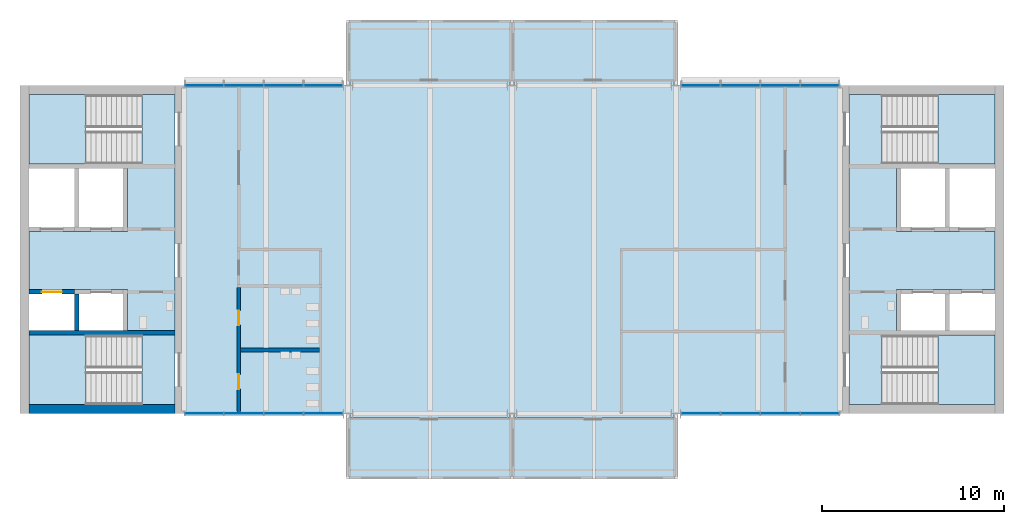
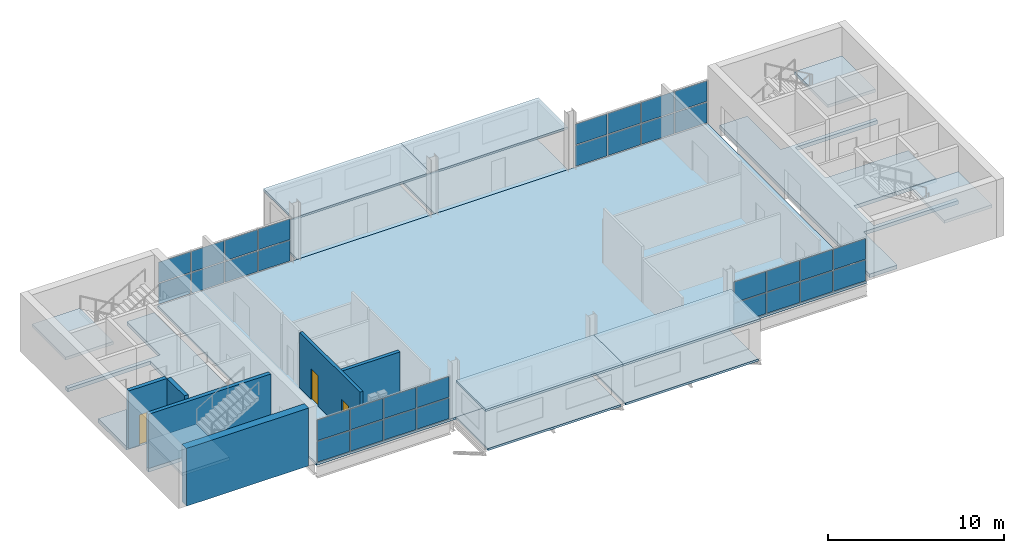
# One storey, part 4 of 10: 32 plates, 15 slabs, 6 walls, 3 doors, 3 openings, 8 elements without a shape of their own.
"""IFC4 building model written with IfcOpenShell, lengths in metres."""

import ifcopenshell
import ifcopenshell.guid

model = None  # the IFC model being written
_history = None  # IfcOwnerHistory: only IFC2X3 demands one
_inside = {}  # id of a spatial element -> (the spatial element, [elements in it])
_under = {}  # id of a project, library or spatial element -> (it, [spatial elements below it])
_declared = {}  # id of a project -> (the project, [libraries it declares])
_typed = {}  # id of a type object -> (the type object, [elements of that type])
_made_of = {}  # id of a material, layer set ... -> (it, [elements and type objects made of it])


def new_model(schema):
    """Start an empty IFC model of exactly this schema.

    Asked for "IFC4X3", IfcOpenShell would pick the latest addendum, in which some entities
    have other attributes; the version numbers below select the first issue.
    IFC2X3 requires an IfcOwnerHistory on every rooted entity: one is made here for all.
    """
    global model, _history
    if schema == "IFC4X3":
        model = ifcopenshell.file(schema_version=(4, 3, 0, 0))
    else:
        model = ifcopenshell.file(schema=schema)
    _inside.clear()
    _under.clear()
    _declared.clear()
    _typed.clear()
    _made_of.clear()
    _history = None
    if model.schema == "IFC2X3":
        org = make("IfcOrganization", Name="unknown")
        user = make(
            "IfcPersonAndOrganization",
            ThePerson=make("IfcPerson", FamilyName="unknown"),
            TheOrganization=org,
        )
        app = make(
            "IfcApplication",
            ApplicationDeveloper=org,
            Version="unknown",
            ApplicationFullName="unknown",
            ApplicationIdentifier="unknown",
        )
        _history = make(
            "IfcOwnerHistory",
            OwningUser=user,
            OwningApplication=app,
            ChangeAction="ADDED",
            CreationDate=0,
        )
    return model


def make(cls, **values):
    """One entity of the class cls with the attributes given. An attribute that is None is left unset."""
    return model.create_entity(
        cls, **{name: value for name, value in values.items() if value is not None}
    )


def rooted(cls, **values):
    """An entity with a GlobalId (a new one), such as an element, a storey or a relation."""
    return make(cls, GlobalId=ifcopenshell.guid.new(), OwnerHistory=_history, **values)


def si_unit(unit_type, name, prefix=None):
    """IfcSIUnit, for example si_unit("LENGTHUNIT", "METRE", prefix="MILLI")."""
    return make("IfcSIUnit", UnitType=unit_type, Prefix=prefix, Name=name)


def assignment(units):
    """IfcUnitAssignment: the units of a project."""
    return None if units is None else make("IfcUnitAssignment", Units=units)


def point(xyz):
    """IfcCartesianPoint."""
    return None if xyz is None else make("IfcCartesianPoint", Coordinates=xyz)


def direction(xyz):
    """IfcDirection."""
    return None if xyz is None else make("IfcDirection", DirectionRatios=xyz)


def frame(location, z_axis=None, x_axis=None):
    """IfcAxis2Placement3D, a coordinate frame: its origin and axes. An axis left out is left unset."""
    return make(
        "IfcAxis2Placement3D",
        Location=point(location),
        Axis=direction(z_axis),
        RefDirection=direction(x_axis),
    )


def frame_2d(location, x_axis=None):
    """IfcAxis2Placement2D, a coordinate frame in the plane: its origin and x axis."""
    return make(
        "IfcAxis2Placement2D", Location=point(location), RefDirection=direction(x_axis)
    )


def origin():
    """The frame at (0, 0, 0) with its axes left unset."""
    return frame((0.0, 0.0, 0.0))


def origin_2d():
    """The frame at (0, 0) in the plane with its x axis left unset."""
    return frame_2d((0.0, 0.0))


def place(relative_to, where):
    """IfcLocalPlacement: puts the frame where relative to a parent placement (None: the world)."""
    return make(
        "IfcLocalPlacement", PlacementRelTo=relative_to, RelativePlacement=where
    )


def context(
    kind, dimensions, precision=None, world=None, true_north=None, identifier=None
):
    """IfcGeometricRepresentationContext, for example the 3D "Model" context."""
    return make(
        "IfcGeometricRepresentationContext",
        ContextIdentifier=identifier,
        ContextType=kind,
        CoordinateSpaceDimension=dimensions,
        Precision=precision,
        WorldCoordinateSystem=world,
        TrueNorth=true_north,
    )


def subcontext(parent, identifier, kind, view, scale=None):
    """IfcGeometricRepresentationSubContext, for example "Body" below "Model"."""
    return make(
        "IfcGeometricRepresentationSubContext",
        ContextIdentifier=identifier,
        ContextType=kind,
        ParentContext=parent,
        TargetScale=scale,
        TargetView=view,
    )


def project(units=None, contexts=None):
    """IfcProject with its units and contexts."""
    return rooted(
        "IfcProject",
        Name="project",
        RepresentationContexts=contexts,
        UnitsInContext=assignment(units),
    )


def spatial(cls, under=None, at=None, **own):
    """A site, building, storey or space (cls), placed at a placement, below another one or the project."""
    s = rooted(cls, ObjectPlacement=at, **own)
    if under is not None:
        _under.setdefault(under.id(), (under, []))[1].append(s)
    return s


def polyline(points):
    """IfcPolyline through the points."""
    return make("IfcPolyline", Points=[point(p) for p in points])


def profile(cls, at=None, kind="AREA", **sizes):
    """A parametric profile (cls). Its sizes go by their IFC names, for example OverallWidth=200.0."""
    return make(cls, ProfileType=kind, Position=at, **sizes)


def rectangle(**sizes):
    """IfcRectangleProfileDef."""
    return profile("IfcRectangleProfileDef", **sizes)


def outline(outer, holes=None, kind="AREA"):
    """IfcArbitraryClosedProfileDef: a profile drawn as a closed curve; with holes, ...WithVoids."""
    if holes is None:
        return make("IfcArbitraryClosedProfileDef", ProfileType=kind, OuterCurve=outer)
    return make(
        "IfcArbitraryProfileDefWithVoids",
        ProfileType=kind,
        OuterCurve=outer,
        InnerCurves=holes,
    )


def extrude(swept, where, along, depth):
    """IfcExtrudedAreaSolid: the profile swept, set in the frame where, extruded along a direction by depth."""
    return make(
        "IfcExtrudedAreaSolid",
        SweptArea=swept,
        Position=where,
        ExtrudedDirection=direction(along),
        Depth=depth,
    )


def shape(context_of_items, identifier, shape_type, items):
    """IfcShapeRepresentation: the items that make up one representation, for example the "Body"."""
    return make(
        "IfcShapeRepresentation",
        ContextOfItems=context_of_items,
        RepresentationIdentifier=identifier,
        RepresentationType=shape_type,
        Items=items,
    )


def material(Name=None, Category=None):
    """IfcMaterial."""
    return make("IfcMaterial", Name=Name, Category=Category)


def layer(
    of_material, thickness, ventilated=None, Name=None, Category=None, Priority=None
):
    """IfcMaterialLayer: one layer of a wall or slab, of a material (None: an air gap)."""
    return make(
        "IfcMaterialLayer",
        Material=of_material,
        LayerThickness=thickness,
        IsVentilated=ventilated,
        Name=Name,
        Category=Category,
        Priority=Priority,
    )


def layer_set(layers, Name=None):
    """IfcMaterialLayerSet."""
    return make("IfcMaterialLayerSet", MaterialLayers=layers, LayerSetName=Name)


def made_of(thing, what):
    """Note that an element or type object is made of a material, layer set ...; save() writes the relation."""
    if what is not None:
        _made_of.setdefault(what.id(), (what, []))[1].append(thing)
    return thing


def type_object(cls, material=None, **own):
    """A type object (cls), such as IfcWallType, which elements share."""
    return made_of(rooted(cls, **own), material)


def element(
    cls,
    number,
    at=None,
    inside=None,
    cuts=None,
    type_object=None,
    material=None,
    context=None,
    identifier="Body",
    shape_type=None,
    held_by="IfcProductDefinitionShape",
    body=None,
    shapes=None,
    **own,
):
    """One element of the class cls, such as IfcWall. Its Tag is "e" and its number.

    at: its placement. inside: the storey or other place that contains it. cuts: it is an
    opening in that element (IfcRelVoidsElement). A single representation is given by context,
    identifier, shape_type and body (its items); several are given by shapes. held_by: the class
    of the entity that holds the representations. save() writes the other relations.
    """
    e = rooted(cls, Tag="e%d" % number, ObjectPlacement=at, **own)
    if body is not None:
        shapes = [shape(context, identifier, shape_type, body)]
    if shapes is not None:
        e.Representation = make(held_by, Representations=shapes)
    if inside is not None:
        _inside.setdefault(inside.id(), (inside, []))[1].append(e)
    if cuts is not None:
        rooted(
            "IfcRelVoidsElement", RelatingBuildingElement=cuts, RelatedOpeningElement=e
        )
    if type_object is not None:
        _typed.setdefault(type_object.id(), (type_object, []))[1].append(e)
    return made_of(e, material)


def fill(opening, filler):
    """IfcRelFillsElement: the door or window that sits in an opening."""
    return rooted(
        "IfcRelFillsElement",
        RelatingOpeningElement=opening,
        RelatedBuildingElement=filler,
    )


def aggregate(whole, parts):
    """IfcRelAggregates: a whole, such as a stair, and the parts it consists of."""
    return rooted("IfcRelAggregates", RelatingObject=whole, RelatedObjects=parts)


def save(model, path):
    """Write the relations noted so far, then the file.

    IfcRelAggregates (storeys below a building ...), IfcRelContainedInSpatialStructure (elements
    in a storey), IfcRelDefinesByType, IfcRelAssociatesMaterial and IfcRelDeclares: one each for
    every whole, place, type object, material and project.
    """
    for whole, parts in _under.values():
        aggregate(whole, parts)
    for where, things in _inside.values():
        rooted(
            "IfcRelContainedInSpatialStructure",
            RelatedElements=things,
            RelatingStructure=where,
        )
    for kind, things in _typed.values():
        rooted("IfcRelDefinesByType", RelatedObjects=things, RelatingType=kind)
    for what, things in _made_of.values():
        rooted("IfcRelAssociatesMaterial", RelatedObjects=things, RelatingMaterial=what)
    for by, libraries in _declared.values():
        rooted("IfcRelDeclares", RelatingContext=by, RelatedDefinitions=libraries)
    model.write(path)


model = new_model("IFC4")

# Units and contexts
model_context = context("Model", 3, precision=1e-05, world=origin(), true_north=direction((0.0, 1.0)))
body_context = subcontext(model_context, "Body", "Model", "MODEL_VIEW")
ifc_project = project(units=[si_unit("LENGTHUNIT", "METRE"), si_unit("AREAUNIT", "SQUARE_METRE"), si_unit("VOLUMEUNIT", "CUBIC_METRE"), si_unit("PLANEANGLEUNIT", "RADIAN"), si_unit("MASSUNIT", "GRAM", prefix="KILO")], contexts=[model_context])

# Site, building, storey
site_placement = place(None, origin())
site = spatial("IfcSite", under=ifc_project, at=site_placement, CompositionType="ELEMENT")
building_placement = place(site_placement, origin())
building = spatial("IfcBuilding", under=site, at=building_placement, Name="Corbel Yard City Hall", CompositionType="ELEMENT")
storey_placement = place(building_placement, frame((0.0, 0.0, 19.199951171875)))
storey = spatial("IfcBuildingStorey", under=building, at=storey_placement, Name="L04", CompositionType="ELEMENT", Elevation=19.199951171875)

# Slabs
ifc_material_1 = material(Name="Concrete N40 (40 MPa)", Category="concrete")
ifc_layer_1 = layer(ifc_material_1, 0.25)
ifc_layer_set_1 = layer_set([ifc_layer_1], Name="Concrete N40 (40 MPa)")
slab_type_1 = type_object("IfcSlabType", Name="CF1", PredefinedType="FLOOR", material=ifc_layer_set_1)
slab_1_placement = place(storey_placement, frame((0.0, 0.0, -0.25)))
element("IfcSlab", 1, at=slab_1_placement, inside=storey, type_object=slab_type_1, Name="Core floor slab", PredefinedType="FLOOR", context=body_context, shape_type="SweptSolid", body=[
    extrude(outline(polyline([(8.5, 116.5), (6.698974609375, 116.5), (6.698974609375, 112.699951171875), (0.5, 112.699951171875), (0.5, 112.449951171875), (5.89990234375, 112.449951171875), (5.89990234375, 109.0), (0.5, 109.0), (0.5, 105.800048828125), (5.89990234375, 105.800048828125), (5.89990234375, 103.550048828125), (0.5, 103.550048828125), (0.5, 103.300048828125), (6.698974609375, 103.300048828125), (6.698974609375, 99.5), (8.5, 99.5), (8.5, 116.5)])), origin(), (0.0, 0.0, 1.0), 0.25),
])
slab_2_placement = place(storey_placement, frame((0.0, 0.0, -0.25)))
element("IfcSlab", 2, at=slab_2_placement, inside=storey, type_object=slab_type_1, Name="Core floor slab", PredefinedType="FLOOR", context=body_context, shape_type="SweptSolid", body=[
    extrude(outline(polyline([(53.5, 103.300048828125), (53.5, 103.550048828125), (48.10009765625, 103.550048828125), (48.10009765625, 105.800048828125), (53.5, 105.800048828125), (53.5, 109.0), (48.10009765625, 109.0), (48.10009765625, 112.449951171875), (53.5, 112.449951171875), (53.5, 112.699951171875), (47.301025390625, 112.699951171875), (47.301025390625, 116.5), (45.5, 116.5), (45.5, 99.5), (47.301025390625, 99.5), (47.301025390625, 103.300048828125), (53.5, 103.300048828125)])), origin(), (0.0, 0.0, 1.0), 0.25),
])
ifc_layer_2 = layer(ifc_material_1, 0.14990234375)
ifc_layer_set_2 = layer_set([ifc_layer_2], Name="Concrete N40 (40 MPa)")
slab_type_2 = type_object("IfcSlabType", Name="Floor slab 150", PredefinedType="FLOOR", material=ifc_layer_set_2)
slab_3_placement = place(storey_placement, frame((0.0, 0.0, -0.14990234375)))
element("IfcSlab", 3, at=slab_3_placement, inside=storey, type_object=slab_type_2, Name="Tower floor slab L04", PredefinedType="FLOOR", context=body_context, shape_type="SweptSolid", body=[
    extrude(outline(polyline([(45.0, 99.0), (45.0, 117.0), (9.0, 117.0), (9.0, 99.0), (45.0, 99.0)])), origin(), (0.0, 0.0, 1.0), 0.14990234375),
])

# Stair, slab
stair_type = type_object("IfcStairType", Name="ST4", PredefinedType="HALF_TURN_STAIR", material=ifc_material_1)
stair_1_placement = place(storey_placement, origin())
stair_1 = element("IfcStair", 4, at=stair_1_placement, inside=storey, type_object=stair_type, Name="Exit stair ST-W1 L04", PredefinedType="HALF_TURN_STAIR")
ifc_layer_3 = layer(ifc_material_1, 0.199951171875)
ifc_layer_set_3 = layer_set([ifc_layer_3], Name="Concrete N40 (40 MPa)")
slab_type_3 = type_object("IfcSlabType", Name="LN1", PredefinedType="LANDING", material=ifc_layer_set_3)
slab_4_placement = place(storey_placement, frame((0.0, 0.0, 1.800048828125)))
slab_4 = element("IfcSlab", 5, at=slab_4_placement, type_object=slab_type_3, Name="ST-W1 landing 1", PredefinedType="LANDING", context=body_context, shape_type="SweptSolid", body=[
    extrude(outline(polyline([(0.5, 99.5), (3.6201171875, 99.5), (3.6201171875, 103.300048828125), (0.5, 103.300048828125), (0.5, 99.5)])), origin(), (0.0, 0.0, 1.0), 0.199951171875),
])
aggregate(stair_1, [slab_4])

stair_2_placement = place(storey_placement, origin())
stair_2 = element("IfcStair", 6, at=stair_2_placement, inside=storey, type_object=stair_type, Name="Exit stair ST-W2 L04", PredefinedType="HALF_TURN_STAIR")
slab_5_placement = place(storey_placement, frame((0.0, 0.0, 1.800048828125)))
slab_5 = element("IfcSlab", 7, at=slab_5_placement, type_object=slab_type_3, Name="ST-W2 landing 1", PredefinedType="LANDING", context=body_context, shape_type="SweptSolid", body=[
    extrude(outline(polyline([(0.5, 112.699951171875), (3.6201171875, 112.699951171875), (3.6201171875, 116.5), (0.5, 116.5), (0.5, 112.699951171875)])), origin(), (0.0, 0.0, 1.0), 0.199951171875),
])
aggregate(stair_2, [slab_5])

stair_3_placement = place(storey_placement, origin())
stair_3 = element("IfcStair", 8, at=stair_3_placement, inside=storey, type_object=stair_type, Name="Exit stair ST-E1 L04", PredefinedType="HALF_TURN_STAIR")
slab_6_placement = place(storey_placement, frame((0.0, 0.0, 1.800048828125)))
slab_6 = element("IfcSlab", 9, at=slab_6_placement, type_object=slab_type_3, Name="ST-E1 landing 1", PredefinedType="LANDING", context=body_context, shape_type="SweptSolid", body=[
    extrude(outline(polyline([(50.3798828125, 99.5), (53.5, 99.5), (53.5, 103.300048828125), (50.3798828125, 103.300048828125), (50.3798828125, 99.5)])), origin(), (0.0, 0.0, 1.0), 0.199951171875),
])
aggregate(stair_3, [slab_6])

stair_4_placement = place(storey_placement, origin())
stair_4 = element("IfcStair", 10, at=stair_4_placement, inside=storey, type_object=stair_type, Name="Exit stair ST-E2 L04", PredefinedType="HALF_TURN_STAIR")
slab_7_placement = place(storey_placement, frame((0.0, 0.0, 1.800048828125)))
slab_7 = element("IfcSlab", 11, at=slab_7_placement, type_object=slab_type_3, Name="ST-E2 landing 1", PredefinedType="LANDING", context=body_context, shape_type="SweptSolid", body=[
    extrude(outline(polyline([(50.3798828125, 112.699951171875), (53.5, 112.699951171875), (53.5, 116.5), (50.3798828125, 116.5), (50.3798828125, 112.699951171875)])), origin(), (0.0, 0.0, 1.0), 0.199951171875),
])
aggregate(stair_4, [slab_7])

# Slabs
ifc_material_2 = material(Name="Concrete N32 (32 MPa)", Category="concrete")
ifc_layer_4 = layer(ifc_material_2, 0.14990234375)
ifc_layer_set_4 = layer_set([ifc_layer_4], Name="Concrete N32 (32 MPa)")
slab_type_4 = type_object("IfcSlabType", Name="PF1", PredefinedType="FLOOR", material=ifc_layer_set_4)
slab_8_placement = place(storey_placement, frame((0.0, 0.0, -0.14990234375)))
element("IfcSlab", 12, at=slab_8_placement, inside=storey, type_object=slab_type_4, Name="Pod floor slab L04", PredefinedType="FLOOR", context=body_context, shape_type="SweptSolid", body=[
    extrude(outline(polyline([(18.14990234375, 95.39990234375), (26.85009765625, 95.39990234375), (26.85009765625, 99.0), (18.14990234375, 99.0), (18.14990234375, 95.39990234375)])), origin(), (0.0, 0.0, 1.0), 0.14990234375),
])
slab_9_placement = place(storey_placement, frame((0.0, 0.0, -0.14990234375)))
element("IfcSlab", 13, at=slab_9_placement, inside=storey, type_object=slab_type_4, Name="Pod floor slab L04", PredefinedType="FLOOR", context=body_context, shape_type="SweptSolid", body=[
    extrude(outline(polyline([(27.14990234375, 95.39990234375), (35.85009765625, 95.39990234375), (35.85009765625, 99.0), (27.14990234375, 99.0), (27.14990234375, 95.39990234375)])), origin(), (0.0, 0.0, 1.0), 0.14990234375),
])
slab_10_placement = place(storey_placement, frame((0.0, 0.0, -0.14990234375)))
element("IfcSlab", 14, at=slab_10_placement, inside=storey, type_object=slab_type_4, Name="Pod floor slab L04", PredefinedType="FLOOR", context=body_context, shape_type="SweptSolid", body=[
    extrude(outline(polyline([(18.14990234375, 117.0), (26.85009765625, 117.0), (26.85009765625, 120.60009765625), (18.14990234375, 120.60009765625), (18.14990234375, 117.0)])), origin(), (0.0, 0.0, 1.0), 0.14990234375),
])
slab_11_placement = place(storey_placement, frame((0.0, 0.0, -0.14990234375)))
element("IfcSlab", 15, at=slab_11_placement, inside=storey, type_object=slab_type_4, Name="Pod floor slab L04", PredefinedType="FLOOR", context=body_context, shape_type="SweptSolid", body=[
    extrude(outline(polyline([(27.14990234375, 117.0), (35.85009765625, 117.0), (35.85009765625, 120.60009765625), (27.14990234375, 120.60009765625), (27.14990234375, 117.0)])), origin(), (0.0, 0.0, 1.0), 0.14990234375),
])
ifc_layer_5 = layer(ifc_material_2, 0.14990234375)
ifc_layer_set_5 = layer_set([ifc_layer_5], Name="Concrete N32 (32 MPa)")
slab_type_5 = type_object("IfcSlabType", Name="PH1", PredefinedType="ROOF", material=ifc_layer_set_5)
slab_12_placement = place(storey_placement, frame((0.0, 0.0, 2.60009765625)))
element("IfcSlab", 16, at=slab_12_placement, inside=storey, type_object=slab_type_5, Name="Pod roof slab L04", PredefinedType="ROOF", context=body_context, shape_type="SweptSolid", body=[
    extrude(outline(polyline([(18.0, 95.39990234375), (27.0, 95.39990234375), (27.0, 98.75), (18.0, 98.75), (18.0, 95.39990234375)])), origin(), (0.0, 0.0, 1.0), 0.14990234375),
])
slab_13_placement = place(storey_placement, frame((0.0, 0.0, 2.60009765625)))
element("IfcSlab", 17, at=slab_13_placement, inside=storey, type_object=slab_type_5, Name="Pod roof slab L04", PredefinedType="ROOF", context=body_context, shape_type="SweptSolid", body=[
    extrude(outline(polyline([(27.0, 95.39990234375), (36.0, 95.39990234375), (36.0, 98.75), (27.0, 98.75), (27.0, 95.39990234375)])), origin(), (0.0, 0.0, 1.0), 0.14990234375),
])
slab_14_placement = place(storey_placement, frame((0.0, 0.0, 2.60009765625)))
element("IfcSlab", 18, at=slab_14_placement, inside=storey, type_object=slab_type_5, Name="Pod roof slab L04", PredefinedType="ROOF", context=body_context, shape_type="SweptSolid", body=[
    extrude(outline(polyline([(18.0, 120.60009765625), (18.0, 117.25), (27.0, 117.25), (27.0, 120.60009765625), (18.0, 120.60009765625)])), origin(), (0.0, 0.0, 1.0), 0.14990234375),
])
slab_15_placement = place(storey_placement, frame((0.0, 0.0, 2.60009765625)))
element("IfcSlab", 19, at=slab_15_placement, inside=storey, type_object=slab_type_5, Name="Pod roof slab L04", PredefinedType="ROOF", context=body_context, shape_type="SweptSolid", body=[
    extrude(outline(polyline([(27.0, 120.60009765625), (27.0, 117.25), (36.0, 117.25), (36.0, 120.60009765625), (27.0, 120.60009765625)])), origin(), (0.0, 0.0, 1.0), 0.14990234375),
])

# Curtain wall, plates
ifc_material_3 = material(Name="Aluminium extrusion", Category="aluminium")
ifc_layer_6 = layer(ifc_material_3, 0.14990234375)
ifc_layer_set_6 = layer_set([ifc_layer_6], Name="Aluminium extrusion")
curtain_wall_type_1 = type_object("IfcCurtainWallType", Name="CW2", PredefinedType="USERDEFINED", material=ifc_layer_set_6)
curtain_wall_1_placement = place(storey_placement, origin())
curtain_wall_1 = element("IfcCurtainWall", 20, at=curtain_wall_1_placement, inside=storey, type_object=curtain_wall_type_1, Name="Curtain wall CW2 L04", ObjectType="CURTAIN WALL", PredefinedType="USERDEFINED")
ifc_material_4 = material(Name="Double glazed low-e glass unit", Category="glass")
ifc_layer_7 = layer(ifc_material_4, 0.028076171875)
ifc_layer_set_7 = layer_set([ifc_layer_7], Name="Double glazed low-e glass unit")
plate_type_1 = type_object("IfcPlateType", Name="PN2", PredefinedType="CURTAIN_PANEL", material=ifc_layer_set_7)
plate_1_placement = place(storey_placement, frame((10.109130859375, 99.0, 0.06494140625), z_axis=(0.0, 0.0, 1.0), x_axis=(1.0, 0.0, 0.0)))
plate_1 = element("IfcPlate", 21, at=plate_1_placement, type_object=plate_type_1, Name="CW2 panel 1.1", PredefinedType="CURTAIN_PANEL", context=body_context, shape_type="SweptSolid", body=[
    extrude(rectangle(XDim=2.088134765625, YDim=0.028076171875, at=origin_2d()), origin(), (0.0, 0.0, 1.0), 1.422607421875),
])
plate_2_placement = place(storey_placement, frame((10.109130859375, 99.0, 1.552734375), z_axis=(0.0, 0.0, 1.0), x_axis=(1.0, 0.0, 0.0)))
plate_2 = element("IfcPlate", 22, at=plate_2_placement, type_object=plate_type_1, Name="CW2 panel 1.2", PredefinedType="CURTAIN_PANEL", context=body_context, shape_type="SweptSolid", body=[
    extrude(rectangle(XDim=2.088134765625, YDim=0.028076171875, at=origin_2d()), origin(), (0.0, 0.0, 1.0), 1.422607421875),
])
plate_3_placement = place(storey_placement, frame((12.278564453125, 99.0, 0.06494140625), z_axis=(0.0, 0.0, 1.0), x_axis=(1.0, 0.0, 0.0)))
plate_3 = element("IfcPlate", 23, at=plate_3_placement, type_object=plate_type_1, Name="CW2 panel 2.1", PredefinedType="CURTAIN_PANEL", context=body_context, shape_type="SweptSolid", body=[
    extrude(rectangle(XDim=2.120849609375, YDim=0.028076171875, at=origin_2d()), origin(), (0.0, 0.0, 1.0), 1.422607421875),
])
plate_4_placement = place(storey_placement, frame((12.278564453125, 99.0, 1.552734375), z_axis=(0.0, 0.0, 1.0), x_axis=(1.0, 0.0, 0.0)))
plate_4 = element("IfcPlate", 24, at=plate_4_placement, type_object=plate_type_1, Name="CW2 panel 2.2", PredefinedType="CURTAIN_PANEL", context=body_context, shape_type="SweptSolid", body=[
    extrude(rectangle(XDim=2.120849609375, YDim=0.028076171875, at=origin_2d()), origin(), (0.0, 0.0, 1.0), 1.422607421875),
])
plate_5_placement = place(storey_placement, frame((14.46435546875, 99.0, 0.06494140625), z_axis=(0.0, 0.0, 1.0), x_axis=(1.0, 0.0, 0.0)))
plate_5 = element("IfcPlate", 25, at=plate_5_placement, type_object=plate_type_1, Name="CW2 panel 3.1", PredefinedType="CURTAIN_PANEL", context=body_context, shape_type="SweptSolid", body=[
    extrude(rectangle(XDim=2.120849609375, YDim=0.028076171875, at=origin_2d()), origin(), (0.0, 0.0, 1.0), 1.422607421875),
])
plate_6_placement = place(storey_placement, frame((14.46435546875, 99.0, 1.552734375), z_axis=(0.0, 0.0, 1.0), x_axis=(1.0, 0.0, 0.0)))
plate_6 = element("IfcPlate", 26, at=plate_6_placement, type_object=plate_type_1, Name="CW2 panel 3.2", PredefinedType="CURTAIN_PANEL", context=body_context, shape_type="SweptSolid", body=[
    extrude(rectangle(XDim=2.120849609375, YDim=0.028076171875, at=origin_2d()), origin(), (0.0, 0.0, 1.0), 1.422607421875),
])
plate_7_placement = place(storey_placement, frame((16.6337890625, 99.0, 0.06494140625), z_axis=(0.0, 0.0, 1.0), x_axis=(1.0, 0.0, 0.0)))
plate_7 = element("IfcPlate", 27, at=plate_7_placement, type_object=plate_type_1, Name="CW2 panel 4.1", PredefinedType="CURTAIN_PANEL", context=body_context, shape_type="SweptSolid", body=[
    extrude(rectangle(XDim=2.088134765625, YDim=0.028076171875, at=origin_2d()), origin(), (0.0, 0.0, 1.0), 1.422607421875),
])
plate_8_placement = place(storey_placement, frame((16.6337890625, 99.0, 1.552734375), z_axis=(0.0, 0.0, 1.0), x_axis=(1.0, 0.0, 0.0)))
plate_8 = element("IfcPlate", 28, at=plate_8_placement, type_object=plate_type_1, Name="CW2 panel 4.2", PredefinedType="CURTAIN_PANEL", context=body_context, shape_type="SweptSolid", body=[
    extrude(rectangle(XDim=2.088134765625, YDim=0.028076171875, at=origin_2d()), origin(), (0.0, 0.0, 1.0), 1.422607421875),
])
aggregate(curtain_wall_1, [plate_1, plate_2, plate_3, plate_4, plate_5, plate_6, plate_7, plate_8])

curtain_wall_2_placement = place(storey_placement, origin())
curtain_wall_2 = element("IfcCurtainWall", 29, at=curtain_wall_2_placement, inside=storey, type_object=curtain_wall_type_1, Name="Curtain wall CW2 L04", ObjectType="CURTAIN WALL", PredefinedType="USERDEFINED")
plate_9_placement = place(storey_placement, frame((37.3662109375, 99.0, 0.06494140625), z_axis=(0.0, 0.0, 1.0), x_axis=(1.0, 0.0, 0.0)))
plate_9 = element("IfcPlate", 30, at=plate_9_placement, type_object=plate_type_1, Name="CW2 panel 1.1", PredefinedType="CURTAIN_PANEL", context=body_context, shape_type="SweptSolid", body=[
    extrude(rectangle(XDim=2.088134765625, YDim=0.028076171875, at=origin_2d()), origin(), (0.0, 0.0, 1.0), 1.422607421875),
])
plate_10_placement = place(storey_placement, frame((37.3662109375, 99.0, 1.552734375), z_axis=(0.0, 0.0, 1.0), x_axis=(1.0, 0.0, 0.0)))
plate_10 = element("IfcPlate", 31, at=plate_10_placement, type_object=plate_type_1, Name="CW2 panel 1.2", PredefinedType="CURTAIN_PANEL", context=body_context, shape_type="SweptSolid", body=[
    extrude(rectangle(XDim=2.088134765625, YDim=0.028076171875, at=origin_2d()), origin(), (0.0, 0.0, 1.0), 1.422607421875),
])
plate_11_placement = place(storey_placement, frame((39.53564453125, 99.0, 0.06494140625), z_axis=(0.0, 0.0, 1.0), x_axis=(1.0, 0.0, 0.0)))
plate_11 = element("IfcPlate", 32, at=plate_11_placement, type_object=plate_type_1, Name="CW2 panel 2.1", PredefinedType="CURTAIN_PANEL", context=body_context, shape_type="SweptSolid", body=[
    extrude(rectangle(XDim=2.120849609375, YDim=0.028076171875, at=origin_2d()), origin(), (0.0, 0.0, 1.0), 1.422607421875),
])
plate_12_placement = place(storey_placement, frame((39.53564453125, 99.0, 1.552734375), z_axis=(0.0, 0.0, 1.0), x_axis=(1.0, 0.0, 0.0)))
plate_12 = element("IfcPlate", 33, at=plate_12_placement, type_object=plate_type_1, Name="CW2 panel 2.2", PredefinedType="CURTAIN_PANEL", context=body_context, shape_type="SweptSolid", body=[
    extrude(rectangle(XDim=2.120849609375, YDim=0.028076171875, at=origin_2d()), origin(), (0.0, 0.0, 1.0), 1.422607421875),
])
plate_13_placement = place(storey_placement, frame((41.721435546875, 99.0, 0.06494140625), z_axis=(0.0, 0.0, 1.0), x_axis=(1.0, 0.0, 0.0)))
plate_13 = element("IfcPlate", 34, at=plate_13_placement, type_object=plate_type_1, Name="CW2 panel 3.1", PredefinedType="CURTAIN_PANEL", context=body_context, shape_type="SweptSolid", body=[
    extrude(rectangle(XDim=2.120849609375, YDim=0.028076171875, at=origin_2d()), origin(), (0.0, 0.0, 1.0), 1.422607421875),
])
plate_14_placement = place(storey_placement, frame((41.721435546875, 99.0, 1.552734375), z_axis=(0.0, 0.0, 1.0), x_axis=(1.0, 0.0, 0.0)))
plate_14 = element("IfcPlate", 35, at=plate_14_placement, type_object=plate_type_1, Name="CW2 panel 3.2", PredefinedType="CURTAIN_PANEL", context=body_context, shape_type="SweptSolid", body=[
    extrude(rectangle(XDim=2.120849609375, YDim=0.028076171875, at=origin_2d()), origin(), (0.0, 0.0, 1.0), 1.422607421875),
])
plate_15_placement = place(storey_placement, frame((43.890869140625, 99.0, 0.06494140625), z_axis=(0.0, 0.0, 1.0), x_axis=(1.0, 0.0, 0.0)))
plate_15 = element("IfcPlate", 36, at=plate_15_placement, type_object=plate_type_1, Name="CW2 panel 4.1", PredefinedType="CURTAIN_PANEL", context=body_context, shape_type="SweptSolid", body=[
    extrude(rectangle(XDim=2.088134765625, YDim=0.028076171875, at=origin_2d()), origin(), (0.0, 0.0, 1.0), 1.422607421875),
])
plate_16_placement = place(storey_placement, frame((43.890869140625, 99.0, 1.552734375), z_axis=(0.0, 0.0, 1.0), x_axis=(1.0, 0.0, 0.0)))
plate_16 = element("IfcPlate", 37, at=plate_16_placement, type_object=plate_type_1, Name="CW2 panel 4.2", PredefinedType="CURTAIN_PANEL", context=body_context, shape_type="SweptSolid", body=[
    extrude(rectangle(XDim=2.088134765625, YDim=0.028076171875, at=origin_2d()), origin(), (0.0, 0.0, 1.0), 1.422607421875),
])
aggregate(curtain_wall_2, [plate_9, plate_10, plate_11, plate_12, plate_13, plate_14, plate_15, plate_16])

ifc_layer_8 = layer(ifc_material_3, 0.179931640625)
ifc_layer_set_8 = layer_set([ifc_layer_8], Name="Aluminium extrusion")
curtain_wall_type_2 = type_object("IfcCurtainWallType", Name="CW6", PredefinedType="USERDEFINED", material=ifc_layer_set_8)
curtain_wall_3_placement = place(storey_placement, origin())
curtain_wall_3 = element("IfcCurtainWall", 38, at=curtain_wall_3_placement, inside=storey, type_object=curtain_wall_type_2, Name="Curtain wall CW6 L04", ObjectType="CURTAIN WALL", PredefinedType="USERDEFINED")
ifc_material_5 = material(Name="Double glazed low-e glass unit, ceramic fritted", Category="glass")
ifc_layer_9 = layer(ifc_material_5, 0.02392578125)
ifc_layer_set_9 = layer_set([ifc_layer_9], Name="Double glazed low-e glass unit, ceramic fritted")
plate_type_2 = type_object("IfcPlateType", Name="PN7", PredefinedType="CURTAIN_PANEL", material=ifc_layer_set_9)
plate_17_placement = place(storey_placement, frame((10.109130859375, 117.0, 0.06494140625), z_axis=(0.0, 0.0, 1.0), x_axis=(1.0, 0.0, 0.0)))
plate_17 = element("IfcPlate", 39, at=plate_17_placement, type_object=plate_type_2, Name="CW6 panel 1.1", PredefinedType="CURTAIN_PANEL", context=body_context, shape_type="SweptSolid", body=[
    extrude(rectangle(XDim=2.088134765625, YDim=0.02392578125, at=origin_2d()), origin(), (0.0, 0.0, 1.0), 1.422607421875),
])
plate_18_placement = place(storey_placement, frame((10.109130859375, 117.0, 1.552734375), z_axis=(0.0, 0.0, 1.0), x_axis=(1.0, 0.0, 0.0)))
plate_18 = element("IfcPlate", 40, at=plate_18_placement, type_object=plate_type_2, Name="CW6 panel 1.2", PredefinedType="CURTAIN_PANEL", context=body_context, shape_type="SweptSolid", body=[
    extrude(rectangle(XDim=2.088134765625, YDim=0.02392578125, at=origin_2d()), origin(), (0.0, 0.0, 1.0), 1.422607421875),
])
plate_19_placement = place(storey_placement, frame((12.278564453125, 117.0, 0.06494140625), z_axis=(0.0, 0.0, 1.0), x_axis=(1.0, 0.0, 0.0)))
plate_19 = element("IfcPlate", 41, at=plate_19_placement, type_object=plate_type_2, Name="CW6 panel 2.1", PredefinedType="CURTAIN_PANEL", context=body_context, shape_type="SweptSolid", body=[
    extrude(rectangle(XDim=2.120849609375, YDim=0.02392578125, at=origin_2d()), origin(), (0.0, 0.0, 1.0), 1.422607421875),
])
plate_20_placement = place(storey_placement, frame((12.278564453125, 117.0, 1.552734375), z_axis=(0.0, 0.0, 1.0), x_axis=(1.0, 0.0, 0.0)))
plate_20 = element("IfcPlate", 42, at=plate_20_placement, type_object=plate_type_2, Name="CW6 panel 2.2", PredefinedType="CURTAIN_PANEL", context=body_context, shape_type="SweptSolid", body=[
    extrude(rectangle(XDim=2.120849609375, YDim=0.02392578125, at=origin_2d()), origin(), (0.0, 0.0, 1.0), 1.422607421875),
])
plate_21_placement = place(storey_placement, frame((14.46435546875, 117.0, 0.06494140625), z_axis=(0.0, 0.0, 1.0), x_axis=(1.0, 0.0, 0.0)))
plate_21 = element("IfcPlate", 43, at=plate_21_placement, type_object=plate_type_2, Name="CW6 panel 3.1", PredefinedType="CURTAIN_PANEL", context=body_context, shape_type="SweptSolid", body=[
    extrude(rectangle(XDim=2.120849609375, YDim=0.02392578125, at=origin_2d()), origin(), (0.0, 0.0, 1.0), 1.422607421875),
])
plate_22_placement = place(storey_placement, frame((14.46435546875, 117.0, 1.552734375), z_axis=(0.0, 0.0, 1.0), x_axis=(1.0, 0.0, 0.0)))
plate_22 = element("IfcPlate", 44, at=plate_22_placement, type_object=plate_type_2, Name="CW6 panel 3.2", PredefinedType="CURTAIN_PANEL", context=body_context, shape_type="SweptSolid", body=[
    extrude(rectangle(XDim=2.120849609375, YDim=0.02392578125, at=origin_2d()), origin(), (0.0, 0.0, 1.0), 1.422607421875),
])
plate_23_placement = place(storey_placement, frame((16.6337890625, 117.0, 0.06494140625), z_axis=(0.0, 0.0, 1.0), x_axis=(1.0, 0.0, 0.0)))
plate_23 = element("IfcPlate", 45, at=plate_23_placement, type_object=plate_type_2, Name="CW6 panel 4.1", PredefinedType="CURTAIN_PANEL", context=body_context, shape_type="SweptSolid", body=[
    extrude(rectangle(XDim=2.088134765625, YDim=0.02392578125, at=origin_2d()), origin(), (0.0, 0.0, 1.0), 1.422607421875),
])
plate_24_placement = place(storey_placement, frame((16.6337890625, 117.0, 1.552734375), z_axis=(0.0, 0.0, 1.0), x_axis=(1.0, 0.0, 0.0)))
plate_24 = element("IfcPlate", 46, at=plate_24_placement, type_object=plate_type_2, Name="CW6 panel 4.2", PredefinedType="CURTAIN_PANEL", context=body_context, shape_type="SweptSolid", body=[
    extrude(rectangle(XDim=2.088134765625, YDim=0.02392578125, at=origin_2d()), origin(), (0.0, 0.0, 1.0), 1.422607421875),
])
aggregate(curtain_wall_3, [plate_17, plate_18, plate_19, plate_20, plate_21, plate_22, plate_23, plate_24])

curtain_wall_4_placement = place(storey_placement, origin())
curtain_wall_4 = element("IfcCurtainWall", 47, at=curtain_wall_4_placement, inside=storey, type_object=curtain_wall_type_2, Name="Curtain wall CW6 L04", ObjectType="CURTAIN WALL", PredefinedType="USERDEFINED")
plate_25_placement = place(storey_placement, frame((37.3662109375, 117.0, 0.06494140625), z_axis=(0.0, 0.0, 1.0), x_axis=(1.0, 0.0, 0.0)))
plate_25 = element("IfcPlate", 48, at=plate_25_placement, type_object=plate_type_2, Name="CW6 panel 1.1", PredefinedType="CURTAIN_PANEL", context=body_context, shape_type="SweptSolid", body=[
    extrude(rectangle(XDim=2.088134765625, YDim=0.02392578125, at=origin_2d()), origin(), (0.0, 0.0, 1.0), 1.422607421875),
])
plate_26_placement = place(storey_placement, frame((37.3662109375, 117.0, 1.552734375), z_axis=(0.0, 0.0, 1.0), x_axis=(1.0, 0.0, 0.0)))
plate_26 = element("IfcPlate", 49, at=plate_26_placement, type_object=plate_type_2, Name="CW6 panel 1.2", PredefinedType="CURTAIN_PANEL", context=body_context, shape_type="SweptSolid", body=[
    extrude(rectangle(XDim=2.088134765625, YDim=0.02392578125, at=origin_2d()), origin(), (0.0, 0.0, 1.0), 1.422607421875),
])
plate_27_placement = place(storey_placement, frame((39.53564453125, 117.0, 0.06494140625), z_axis=(0.0, 0.0, 1.0), x_axis=(1.0, 0.0, 0.0)))
plate_27 = element("IfcPlate", 50, at=plate_27_placement, type_object=plate_type_2, Name="CW6 panel 2.1", PredefinedType="CURTAIN_PANEL", context=body_context, shape_type="SweptSolid", body=[
    extrude(rectangle(XDim=2.120849609375, YDim=0.02392578125, at=origin_2d()), origin(), (0.0, 0.0, 1.0), 1.422607421875),
])
plate_28_placement = place(storey_placement, frame((39.53564453125, 117.0, 1.552734375), z_axis=(0.0, 0.0, 1.0), x_axis=(1.0, 0.0, 0.0)))
plate_28 = element("IfcPlate", 51, at=plate_28_placement, type_object=plate_type_2, Name="CW6 panel 2.2", PredefinedType="CURTAIN_PANEL", context=body_context, shape_type="SweptSolid", body=[
    extrude(rectangle(XDim=2.120849609375, YDim=0.02392578125, at=origin_2d()), origin(), (0.0, 0.0, 1.0), 1.422607421875),
])
plate_29_placement = place(storey_placement, frame((41.721435546875, 117.0, 0.06494140625), z_axis=(0.0, 0.0, 1.0), x_axis=(1.0, 0.0, 0.0)))
plate_29 = element("IfcPlate", 52, at=plate_29_placement, type_object=plate_type_2, Name="CW6 panel 3.1", PredefinedType="CURTAIN_PANEL", context=body_context, shape_type="SweptSolid", body=[
    extrude(rectangle(XDim=2.120849609375, YDim=0.02392578125, at=origin_2d()), origin(), (0.0, 0.0, 1.0), 1.422607421875),
])
plate_30_placement = place(storey_placement, frame((41.721435546875, 117.0, 1.552734375), z_axis=(0.0, 0.0, 1.0), x_axis=(1.0, 0.0, 0.0)))
plate_30 = element("IfcPlate", 53, at=plate_30_placement, type_object=plate_type_2, Name="CW6 panel 3.2", PredefinedType="CURTAIN_PANEL", context=body_context, shape_type="SweptSolid", body=[
    extrude(rectangle(XDim=2.120849609375, YDim=0.02392578125, at=origin_2d()), origin(), (0.0, 0.0, 1.0), 1.422607421875),
])
plate_31_placement = place(storey_placement, frame((43.890869140625, 117.0, 0.06494140625), z_axis=(0.0, 0.0, 1.0), x_axis=(1.0, 0.0, 0.0)))
plate_31 = element("IfcPlate", 54, at=plate_31_placement, type_object=plate_type_2, Name="CW6 panel 4.1", PredefinedType="CURTAIN_PANEL", context=body_context, shape_type="SweptSolid", body=[
    extrude(rectangle(XDim=2.088134765625, YDim=0.02392578125, at=origin_2d()), origin(), (0.0, 0.0, 1.0), 1.422607421875),
])
plate_32_placement = place(storey_placement, frame((43.890869140625, 117.0, 1.552734375), z_axis=(0.0, 0.0, 1.0), x_axis=(1.0, 0.0, 0.0)))
plate_32 = element("IfcPlate", 55, at=plate_32_placement, type_object=plate_type_2, Name="CW6 panel 4.2", PredefinedType="CURTAIN_PANEL", context=body_context, shape_type="SweptSolid", body=[
    extrude(rectangle(XDim=2.088134765625, YDim=0.02392578125, at=origin_2d()), origin(), (0.0, 0.0, 1.0), 1.422607421875),
])
aggregate(curtain_wall_4, [plate_25, plate_26, plate_27, plate_28, plate_29, plate_30, plate_31, plate_32])

# Walls
ifc_layer_10 = layer(ifc_material_1, 0.25)
ifc_layer_set_10 = layer_set([ifc_layer_10], Name="Concrete N40 (40 MPa)")
wall_type_1 = type_object("IfcWallType", Name="IW2", PredefinedType="SOLIDWALL", material=ifc_layer_set_10)
wall_1_placement = place(storey_placement, frame((8.5, 103.425048828125, 0.0), z_axis=(0.0, 0.0, 1.0), x_axis=(-1.0, 0.0, 0.0)))
element("IfcWall", 56, at=wall_1_placement, inside=storey, type_object=wall_type_1, Name="Stair enclosure wall", PredefinedType="SOLIDWALL", context=body_context, shape_type="SweptSolid", body=[
    extrude(rectangle(XDim=8.0, YDim=0.25, at=frame_2d((4.0, 0.0))), origin(), (0.0, 0.0, 1.0), 3.75),
])
wall_2_placement = place(storey_placement, frame((3.125, 103.550048828125, 0.0), z_axis=(0.0, 0.0, 1.0), x_axis=(0.0, 1.0, 0.0)))
element("IfcWall", 57, at=wall_2_placement, inside=storey, type_object=wall_type_1, Name="Lift LP22 shaft wall", PredefinedType="SOLIDWALL", context=body_context, shape_type="SweptSolid", body=[
    extrude(rectangle(XDim=2.0, YDim=0.25, at=frame_2d((1.0, 0.0))), origin(), (0.0, 0.0, 1.0), 4.0),
])

# Wall, opening, door
wall_3_placement = place(storey_placement, frame((3.0, 105.675048828125, 0.0), z_axis=(0.0, 0.0, 1.0), x_axis=(-1.0, 0.0, 0.0)))
wall_3 = element("IfcWall", 58, at=wall_3_placement, inside=storey, type_object=wall_type_1, Name="Lift LP23 shaft wall", PredefinedType="SOLIDWALL", context=body_context, shape_type="SweptSolid", body=[
    extrude(rectangle(XDim=2.5, YDim=0.25, at=frame_2d((1.25, 0.0))), origin(), (0.0, 0.0, 1.0), 4.0),
])
opening_1_placement = place(wall_3_placement, frame((0.699951171875, 0.0, 0.0)))
opening_1 = element("IfcOpeningElement", 59, at=opening_1_placement, cuts=wall_3, Name="Opening T1-006", PredefinedType="OPENING", context=body_context, shape_type="SweptSolid", body=[
    extrude(rectangle(XDim=1.10009765625, YDim=2.10009765625, at=frame_2d((0.550048828125, 1.050048828125))), frame((0.0, 0.135009765625, 0.0), z_axis=(0.0, -1.0, 0.0), x_axis=(1.0, 0.0, 0.0)), (0.0, 0.0, 1.0), 0.27001953125),
])
ifc_material_6 = material(Name="Stainless steel Grade 316", Category="steel")
door_type_1 = type_object("IfcDoorType", Name="LD1", OperationType="DOUBLE_DOOR_SLIDING", PredefinedType="DOOR", material=ifc_material_6)
door_1_placement = place(opening_1_placement, origin())
door_1 = element("IfcDoor", 60, at=door_1_placement, inside=storey, type_object=door_type_1, Name="Lift LP23 landing door", OperationType="DOUBLE_DOOR_SLIDING", OverallHeight=2.10009765625, OverallWidth=1.10009765625, PredefinedType="DOOR", context=body_context, shape_type="SweptSolid", body=[
    extrude(rectangle(XDim=1.10009765625, YDim=2.10009765625, at=frame_2d((0.550048828125, 1.050048828125))), frame((0.0, 0.02490234375, 0.0), z_axis=(0.0, -1.0, 0.0), x_axis=(1.0, 0.0, 0.0)), (0.0, 0.0, 1.0), 0.050048828125),
])
fill(opening_1, door_1)

# Wall, openings, doors
ifc_material_7 = material(Name="Gypsum plasterboard", Category="gypsum")
ifc_layer_11 = layer(ifc_material_7, 0.031982421875)
ifc_material_8 = material(Name="Steel Grade G550 (550 MPa yield)", Category="steel")
ifc_layer_12 = layer(ifc_material_8, 0.135986328125)
ifc_layer_13 = layer(ifc_material_7, 0.031982421875)
ifc_layer_set_11 = layer_set([ifc_layer_11, ifc_layer_12, ifc_layer_13], Name="Steel Grade G550 (550 MPa yield)")
wall_type_2 = type_object("IfcWallType", Name="PT2", PredefinedType="PARTITIONING", material=ifc_layer_set_11)
wall_4_placement = place(storey_placement, frame((12.0, 99.074951171875, 0.0), z_axis=(0.0, 0.0, 1.0), x_axis=(0.0, 1.0, 0.0)))
wall_4 = element("IfcWall", 61, at=wall_4_placement, inside=storey, type_object=wall_type_2, Name="Acoustic wall", PredefinedType="PARTITIONING", context=body_context, shape_type="SweptSolid", body=[
    extrude(rectangle(XDim=6.844970703125, YDim=0.199951171875, at=frame_2d((3.42236328125, 0.0))), origin(), (0.0, 0.0, 1.0), 3.85009765625),
])
opening_2_placement = place(wall_4_placement, frame((1.27490234375, 0.0, 0.0)))
opening_2 = element("IfcOpeningElement", 62, at=opening_2_placement, cuts=wall_4, Name="Opening T1-013", PredefinedType="OPENING", context=body_context, shape_type="SweptSolid", body=[
    extrude(rectangle(XDim=0.800048828125, YDim=2.10009765625, at=frame_2d((0.39990234375, 1.050048828125))), frame((0.0, 0.10986328125, 0.0), z_axis=(0.0, -1.0, 0.0), x_axis=(1.0, 0.0, 0.0)), (0.0, 0.0, 1.0), 0.219970703125),
])
opening_3_placement = place(wall_4_placement, frame((4.77490234375, 0.0, 0.0)))
opening_3 = element("IfcOpeningElement", 63, at=opening_3_placement, cuts=wall_4, Name="Opening T1-014", PredefinedType="OPENING", context=body_context, shape_type="SweptSolid", body=[
    extrude(rectangle(XDim=0.800048828125, YDim=2.10009765625, at=frame_2d((0.39990234375, 1.050048828125))), frame((0.0, 0.10986328125, 0.0), z_axis=(0.0, -1.0, 0.0), x_axis=(1.0, 0.0, 0.0)), (0.0, 0.0, 1.0), 0.219970703125),
])
ifc_material_9 = material(Name="Timber", Category="wood")
door_type_2 = type_object("IfcDoorType", Name="D44", OperationType="SINGLE_SWING_LEFT", PredefinedType="DOOR", material=ifc_material_9)
door_2_placement = place(opening_2_placement, frame((0.800048828125, 0.0, 0.0), z_axis=(0.0, 0.0, 1.0), x_axis=(-1.0, 0.0, 0.0)))
door_2 = element("IfcDoor", 64, at=door_2_placement, inside=storey, type_object=door_type_2, Name="Door Women's WC 0403", OperationType="SINGLE_SWING_LEFT", OverallHeight=2.10009765625, OverallWidth=0.800048828125, PredefinedType="DOOR", context=body_context, shape_type="SweptSolid", body=[
    extrude(rectangle(XDim=0.800048828125, YDim=2.10009765625, at=frame_2d((0.39990234375, 1.050048828125))), frame((0.0, 0.02490234375, 0.0), z_axis=(0.0, -1.0, 0.0), x_axis=(1.0, 0.0, 0.0)), (0.0, 0.0, 1.0), 0.050048828125),
])
fill(opening_2, door_2)
door_3_placement = place(opening_3_placement, frame((0.800048828125, 0.0, 0.0), z_axis=(0.0, 0.0, 1.0), x_axis=(-1.0, 0.0, 0.0)))
door_3 = element("IfcDoor", 65, at=door_3_placement, inside=storey, type_object=door_type_2, Name="Door Men's WC 0404", OperationType="SINGLE_SWING_RIGHT", OverallHeight=2.10009765625, OverallWidth=0.800048828125, PredefinedType="DOOR", context=body_context, shape_type="SweptSolid", body=[
    extrude(rectangle(XDim=0.800048828125, YDim=2.10009765625, at=frame_2d((0.39990234375, 1.050048828125))), frame((0.0, 0.02490234375, 0.0), z_axis=(0.0, -1.0, 0.0), x_axis=(1.0, 0.0, 0.0)), (0.0, 0.0, 1.0), 0.050048828125),
])
fill(opening_3, door_3)

# Walls
ifc_layer_14 = layer(ifc_material_7, 0.031982421875)
ifc_layer_15 = layer(ifc_material_8, 0.156005859375)
ifc_layer_16 = layer(ifc_material_7, 0.031982421875)
ifc_layer_set_12 = layer_set([ifc_layer_14, ifc_layer_15, ifc_layer_16], Name="Steel Grade G550 (550 MPa yield)")
wall_type_3 = type_object("IfcWallType", Name="PT5", PredefinedType="PLUMBINGWALL", material=ifc_layer_set_12)
wall_5_placement = place(storey_placement, frame((12.10009765625, 102.5, 0.0), z_axis=(0.0, 0.0, 1.0), x_axis=(1.0, 0.0, 0.0)))
element("IfcWall", 66, at=wall_5_placement, inside=storey, type_object=wall_type_3, Name="Wet wall", PredefinedType="PLUMBINGWALL", context=body_context, shape_type="SweptSolid", body=[
    extrude(rectangle(XDim=4.33984375, YDim=0.219970703125, at=frame_2d((2.169921875, 0.0))), origin(), (0.0, 0.0, 1.0), 3.050048828125),
])
ifc_material_10 = material(Name="Concrete N50 (50 MPa)", Category="concrete")
ifc_layer_17 = layer(ifc_material_10, 0.5)
ifc_layer_set_13 = layer_set([ifc_layer_17], Name="Concrete N50 (50 MPa)")
wall_type_4 = type_object("IfcWallType", Name="Trunk wall 500", PredefinedType="SHEAR", material=ifc_layer_set_13)
wall_6_placement = place(storey_placement, frame((0.5, 99.25, 0.0), z_axis=(0.0, 0.0, 1.0), x_axis=(1.0, 0.0, 0.0)))
element("IfcWall", 67, at=wall_6_placement, inside=storey, type_object=wall_type_4, Name="Trunk W south wall", PredefinedType="SHEAR", context=body_context, shape_type="SweptSolid", body=[
    extrude(rectangle(XDim=8.0, YDim=0.5, at=frame_2d((4.0, 0.0))), origin(), (0.0, 0.0, 1.0), 4.0),
])

save(model, "model.ifc")
